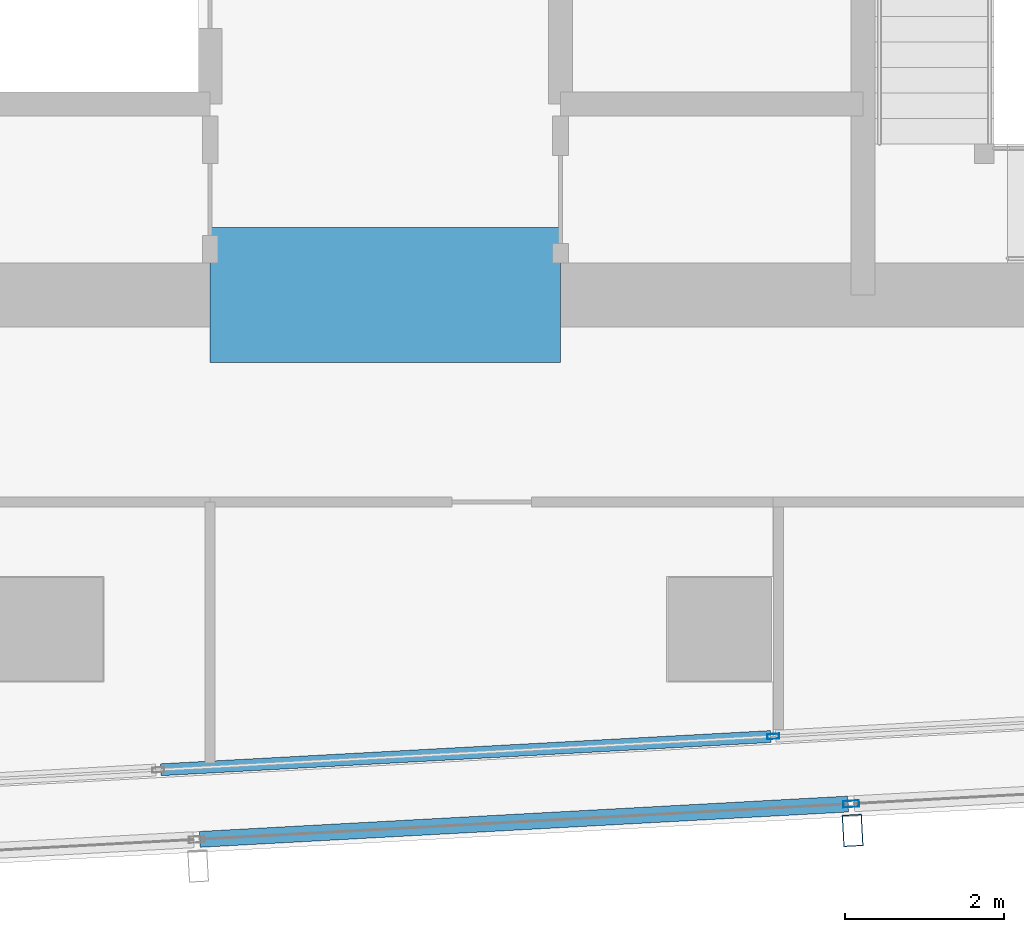
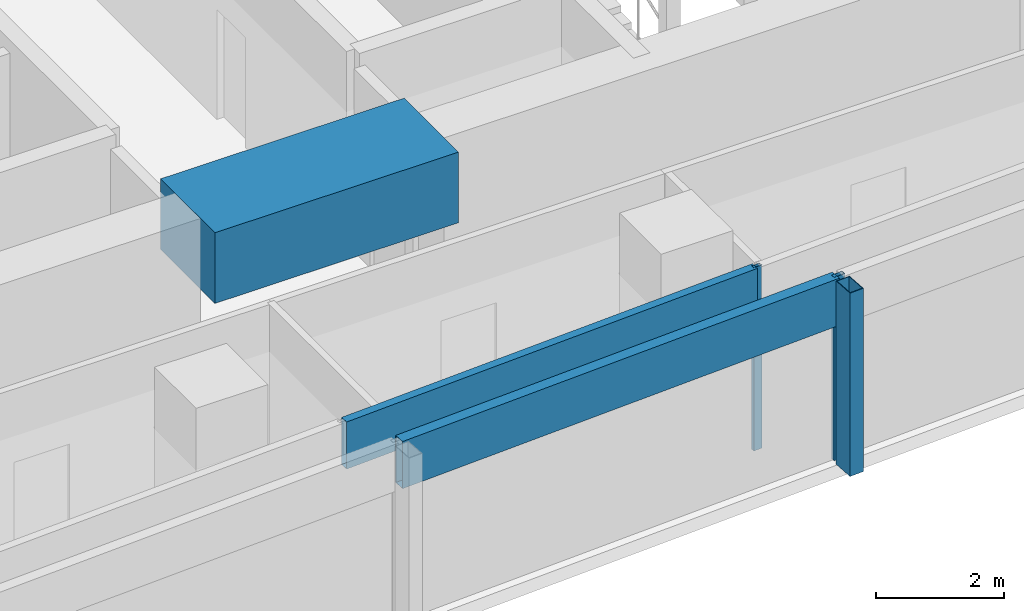
# One storey, part 7 of 28: 5 members, 1 beam, 2 elements without a shape of their own.
"""IFC4 building model written with IfcOpenShell, lengths in metres."""

from ifc_helpers import new_model, si_unit, direction, frame, origin, origin_2d, place, context, subcontext, project, spatial, rectangle, hollow_rectangle, extrude, material, material_profile, profile_set, type_object, element, aggregate, save


model = new_model("IFC4")

# Units and contexts
model_context = context("Model", 3, precision=1e-05, world=origin(), true_north=direction((0.0, 1.0)))
body_context = subcontext(model_context, "Body", "Model", "MODEL_VIEW")
ifc_project = project(units=[si_unit("LENGTHUNIT", "METRE"), si_unit("AREAUNIT", "SQUARE_METRE"), si_unit("VOLUMEUNIT", "CUBIC_METRE"), si_unit("PLANEANGLEUNIT", "RADIAN"), si_unit("MASSUNIT", "GRAM", prefix="KILO")], contexts=[model_context])

# Site, building, storey
site_placement = place(None, origin())
site = spatial("IfcSite", under=ifc_project, at=site_placement, CompositionType="ELEMENT")
building_placement = place(site_placement, origin())
building = spatial("IfcBuilding", under=site, at=building_placement, Name="Rekha Terrace Tower", CompositionType="ELEMENT")
storey_placement = place(building_placement, frame((0.0, 0.0, 268.85009765625)))
storey = spatial("IfcBuildingStorey", under=building, at=storey_placement, Name="L68", CompositionType="ELEMENT", Elevation=268.85009765625)

# Curtain wall, member
ifc_material_1 = material(Name="Aluminium framing", Category="aluminium")
curtain_wall_type_1 = type_object("IfcCurtainWallType", Name="CW2 double skin outer glazing", PredefinedType="USERDEFINED", material=ifc_material_1)
curtain_wall_1_placement = place(storey_placement, origin())
curtain_wall_1 = element("IfcCurtainWall", 1, at=curtain_wall_1_placement, inside=storey, type_object=curtain_wall_type_1, Name="CW2 double skin outer glazing", ObjectType="DOUBLE SKIN OUTER GLAZING", PredefinedType="USERDEFINED")
ifc_material_2 = material(Name="Steel S355 with fluorocarbon finish", Category="steel")
ifc_material_profile_1 = material_profile(ifc_material_2, hollow_rectangle(XDim=0.25, YDim=0.39990234375, WallThickness=0.012451171875, at=origin_2d()), Name="RHS400x250x12.5")
ifc_profile_set_1 = profile_set([ifc_material_profile_1], Name="Steel S355 with fluorocarbon finish")
member_type_1 = type_object("IfcMemberType", Name="BL1 facade blade RHS 400 x 250", PredefinedType="USERDEFINED", material=ifc_profile_set_1)
member_1_placement = place(storey_placement, frame((43.67138671875, 14.271728515625, 0.0), z_axis=(0.0, 0.0, 1.0), x_axis=(0.99851982155, 0.054389024366, 0.0)))
member_1 = element("IfcMember", 2, at=member_1_placement, type_object=member_type_1, Name="Facade blade", ObjectType="FACADE BLADE", PredefinedType="USERDEFINED", context=body_context, shape_type="SweptSolid", body=[
    extrude(hollow_rectangle(XDim=0.25, YDim=0.39990234375, WallThickness=0.012451171875, at=origin_2d()), origin(), (0.0, 0.0, 1.0), 3.5),
])

# Curtain wall, members
curtain_wall_type_2 = type_object("IfcCurtainWallType", Name="CW1 double skin inner glazing", PredefinedType="USERDEFINED", material=ifc_material_1)
curtain_wall_2_placement = place(storey_placement, origin())
curtain_wall_2 = element("IfcCurtainWall", 3, at=curtain_wall_2_placement, inside=storey, type_object=curtain_wall_type_2, Name="CW1 double skin inner glazing", ObjectType="DOUBLE SKIN INNER GLAZING", PredefinedType="USERDEFINED")
ifc_material_3 = material(Name="Aluminium mullion section", Category="aluminium")
ifc_material_profile_2 = material_profile(ifc_material_3, hollow_rectangle(XDim=0.06494140625, YDim=0.14990234375, WallThickness=0.00390625, at=origin_2d()), Name="AL RHS 65x150")
ifc_profile_set_2 = profile_set([ifc_material_profile_2], Name="Aluminium mullion section")
member_type_2 = type_object("IfcMemberType", Name="CW1 mullion RHS 65 x 150", PredefinedType="MULLION", material=ifc_profile_set_2)
member_2_placement = place(storey_placement, frame((42.673583984375, 15.4541015625, 0.0), z_axis=(0.0, 0.0, 1.0), x_axis=(-0.054388903036, 0.998519828159, 0.0)))
member_2 = element("IfcMember", 4, at=member_2_placement, type_object=member_type_2, Name="CW1 mullion 3", PredefinedType="MULLION", context=body_context, shape_type="SweptSolid", body=[
    extrude(hollow_rectangle(XDim=0.06494140625, YDim=0.14990234375, WallThickness=0.00390625, at=origin_2d()), origin(), (0.0, 0.0, 1.0), 3.5),
])
ifc_material_4 = material(Name="Insulated aluminium spandrel box", Category="aluminium")
ifc_material_profile_3 = material_profile(ifc_material_4, hollow_rectangle(XDim=0.14990234375, YDim=0.89990234375, WallThickness=0.0029296875, at=origin_2d()), Name="AL SPANDREL BOX 150x900")
ifc_profile_set_3 = profile_set([ifc_material_profile_3], Name="Insulated aluminium spandrel box")
member_type_3 = type_object("IfcMemberType", Name="CW1 spandrel transom 150 x 900", PredefinedType="USERDEFINED", material=ifc_profile_set_3)
member_3_placement = place(storey_placement, frame((34.980224609375, 15.03515625, 3.0498046875), z_axis=(0.998520172557, 0.054382579907, 0.0), x_axis=(-0.054382579907, 0.998520172557, 0.0)))
member_3 = element("IfcMember", 5, at=member_3_placement, type_object=member_type_3, Name="CW1 spandrel transom 2", ObjectType="TRANSOM", PredefinedType="USERDEFINED", context=body_context, shape_type="SweptSolid", body=[
    extrude(hollow_rectangle(XDim=0.14990234375, YDim=0.89990234375, WallThickness=0.0029296875, at=origin_2d()), origin(), (0.0, 0.0, 1.0), 7.67236328125),
])
aggregate(curtain_wall_2, [member_2, member_3])

# Member
ifc_material_profile_4 = material_profile(ifc_material_3, hollow_rectangle(XDim=0.080078125, YDim=0.199951171875, WallThickness=0.00390625, at=origin_2d()), Name="AL RHS 80x200")
ifc_profile_set_4 = profile_set([ifc_material_profile_4], Name="Aluminium mullion section")
member_type_4 = type_object("IfcMemberType", Name="CW2 mullion RHS 80 x 200", PredefinedType="MULLION", material=ifc_profile_set_4)
member_4_placement = place(storey_placement, frame((43.6533203125, 14.606201171875, 0.0), z_axis=(0.0, 0.0, 1.0), x_axis=(-0.054388903071, 0.998519828157, 0.0)))
member_4 = element("IfcMember", 6, at=member_4_placement, type_object=member_type_4, Name="CW2 mullion 3", PredefinedType="MULLION", context=body_context, shape_type="SweptSolid", body=[
    extrude(hollow_rectangle(XDim=0.080078125, YDim=0.199951171875, WallThickness=0.00390625, at=origin_2d()), origin(), (0.0, 0.0, 1.0), 3.5),
])

ifc_material_profile_5 = material_profile(ifc_material_4, hollow_rectangle(XDim=0.199951171875, YDim=0.89990234375, WallThickness=0.0029296875, at=origin_2d()), Name="AL SPANDREL BOX 200x900")
ifc_profile_set_5 = profile_set([ifc_material_profile_5], Name="Insulated aluminium spandrel box")
member_type_5 = type_object("IfcMemberType", Name="CW2 spandrel transom 200 x 900", PredefinedType="USERDEFINED", material=ifc_profile_set_5)
member_5_placement = place(storey_placement, frame((35.469970703125, 14.160400390625, 3.0498046875), z_axis=(0.998519553524, 0.054393944798, 0.0), x_axis=(-0.054393944798, 0.998519553524, 0.0)))
member_5 = element("IfcMember", 7, at=member_5_placement, type_object=member_type_5, Name="CW2 spandrel transom 2", ObjectType="TRANSOM", PredefinedType="USERDEFINED", context=body_context, shape_type="SweptSolid", body=[
    extrude(hollow_rectangle(XDim=0.199951171875, YDim=0.89990234375, WallThickness=0.0029296875, at=origin_2d()), origin(), (0.0, 0.0, 1.0), 8.1552734375),
])

aggregate(curtain_wall_1, [member_4, member_5, member_1])

# Beam
ifc_material_5 = material(Name="Concrete M60", Category="concrete")
ifc_material_profile_6 = material_profile(ifc_material_5, rectangle(XDim=1.699951171875, YDim=1.35009765625, at=origin_2d()), Name="RC 1700x1350")
ifc_profile_set_6 = profile_set([ifc_material_profile_6], Name="Concrete M60")
beam_type = type_object("IfcBeamType", Name="LB5A 1700x1350 diagonally reinforced coupling beam", PredefinedType="LINTEL", material=ifc_profile_set_6)
beam_placement = place(storey_placement, frame((35.60009765625, 21.0, 3.074951171875), z_axis=(1.0, 0.0, 0.0), x_axis=(0.0, 1.0, 0.0)))
element("IfcBeam", 8, at=beam_placement, inside=storey, type_object=beam_type, Name="Coupling beam LB5A S L68", PredefinedType="LINTEL", context=body_context, shape_type="SweptSolid", body=[
    extrude(rectangle(XDim=1.699951171875, YDim=1.35009765625, at=origin_2d()), origin(), (0.0, 0.0, 1.0), 4.39990234375),
])

save(model, "model.ifc")
